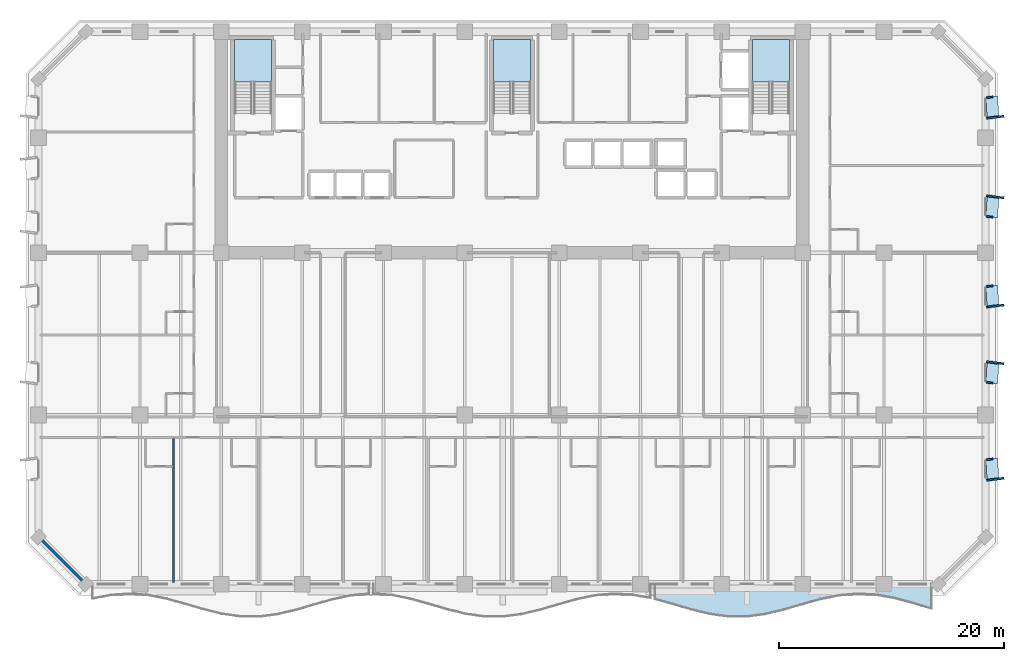
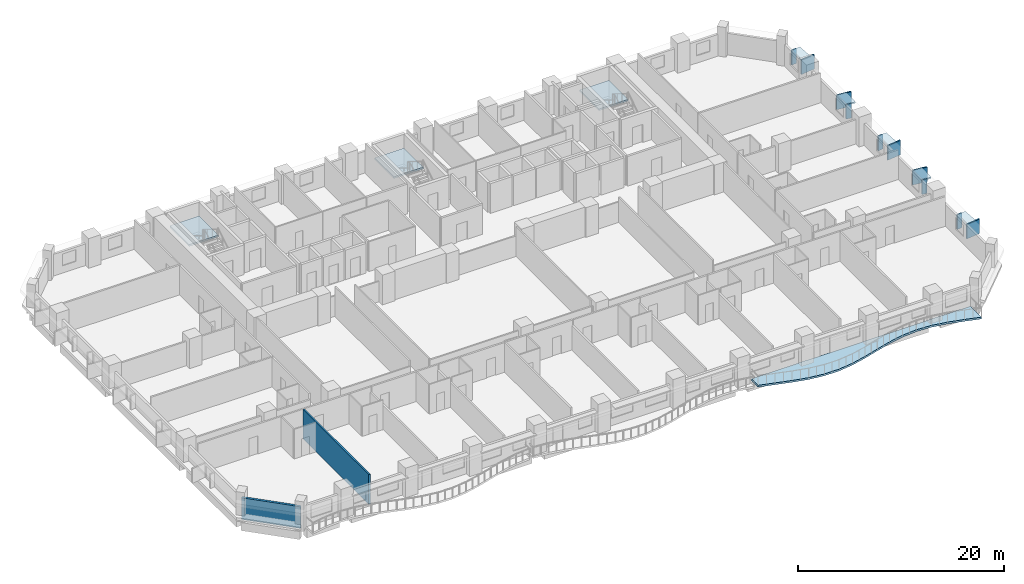
# One storey, part 3 of 15: 15 plates, 4 slabs, 2 walls, 3 elements without a shape of their own.
"""IFC4 building model written with IfcOpenShell, lengths in metres."""

from ifc_helpers import new_model, si_unit, direction, frame, frame_2d, origin, origin_2d, place, context, subcontext, project, spatial, polyline, rectangle, outline, extrude, material, layer, layer_set, type_object, element, aggregate, save


model = new_model("IFC4")

# Units and contexts
model_context = context("Model", 3, precision=1e-05, world=origin(), true_north=direction((0.0, 1.0)))
body_context = subcontext(model_context, "Body", "Model", "MODEL_VIEW")
ifc_project = project(units=[si_unit("LENGTHUNIT", "METRE"), si_unit("AREAUNIT", "SQUARE_METRE"), si_unit("VOLUMEUNIT", "CUBIC_METRE"), si_unit("PLANEANGLEUNIT", "RADIAN"), si_unit("MASSUNIT", "GRAM", prefix="KILO")], contexts=[model_context])

# Site, building, storey
site_placement = place(None, origin())
site = spatial("IfcSite", under=ifc_project, at=site_placement, CompositionType="ELEMENT")
building_placement = place(site_placement, origin())
building = spatial("IfcBuilding", under=site, at=building_placement, Name="Kaelvorn Grand Hotel", CompositionType="ELEMENT")
storey_placement = place(building_placement, frame((0.0, 0.0, 65.14990234375)))
storey = spatial("IfcBuildingStorey", under=building, at=storey_placement, Name="L14", CompositionType="ELEMENT", Elevation=65.14990234375)

# Plates
ifc_material_1 = material(Name="Precast concrete C45/55", Category="concrete")
ifc_layer_1 = layer(ifc_material_1, 0.159912109375)
ifc_layer_set_1 = layer_set([ifc_layer_1], Name="Precast concrete C45/55")
plate_type_1 = type_object("IfcPlateType", Name="PL-FRAME-DEEP-1550", PredefinedType="USERDEFINED", material=ifc_layer_set_1)
for number, where, z_axis, x_axis, name in (
    (1, (84.864990234375, 9.31005859375, 0.68994140625), (0.0, 0.0, 1.0), (-0.121869343405, 0.992546151641, 0.0), "L14 Tilted Precast Window Frame Fin L-E01"),
    (2, (84.864990234375, 19.64990234375, 0.68994140625), (0.0, 0.0, 1.0), (0.121869343405, 0.992546151641, 0.0), "L14 Tilted Precast Window Frame Fin R-E02"),
    (3, (84.864990234375, 24.669921875, 0.68994140625), (0.0, 0.0, 1.0), (-0.121869343405, 0.992546151641, 0.0), "L14 Tilted Precast Window Frame Fin L-E03"),
    (4, (84.864990234375, 34.364990234375, 0.68994140625), (0.0, 0.0, 1.0), (0.121869343405, 0.992546151641, 0.0), "L14 Tilted Precast Window Frame Fin R-E04"),
    (5, (84.864990234375, 41.425048828125, 0.68994140625), (0.0, 0.0, 1.0), (-0.121869343405, 0.992546151641, 0.0), "L14 Tilted Precast Window Frame Fin L-E05"),
):
    element("IfcPlate", number, at=place(storey_placement, frame(where, z_axis=z_axis, x_axis=x_axis)), inside=storey, type_object=plate_type_1, Name=name, ObjectType="FLANGE_PLATE", PredefinedType="USERDEFINED", context=body_context, shape_type="SweptSolid", body=[
        extrude(rectangle(XDim=0.159912109375, YDim=1.550048828125, at=origin_2d()), origin(), (0.0, 0.0, 1.0), 1.719970703125),
    ])
ifc_layer_2 = layer(ifc_material_1, 0.159912109375)
ifc_layer_set_2 = layer_set([ifc_layer_2], Name="Precast concrete C45/55")
plate_type_2 = type_object("IfcPlateType", Name="PL-FRAME-HEAD-1050", PredefinedType="USERDEFINED", material=ifc_layer_set_2)
for number, where, z_axis, x_axis, name in (
    (6, (84.614990234375, 10.199951171875, 2.25), (0.0, 0.0, 1.0), (-0.054950179912, 0.998489097451, 0.0), "L14 Precast Window Frame Head Hood H-E01"),
    (7, (84.614990234375, 18.760009765625, 2.25), (0.0, 0.0, 1.0), (0.054950179912, 0.998489097451, 0.0), "L14 Precast Window Frame Head Hood H-E02"),
    (8, (84.614990234375, 25.56005859375, 2.25), (0.0, 0.0, 1.0), (-0.054950179912, 0.998489097451, 0.0), "L14 Precast Window Frame Head Hood H-E03"),
    (9, (84.614990234375, 33.47509765625, 2.25), (0.0, 0.0, 1.0), (0.054950179912, 0.998489097451, 0.0), "L14 Precast Window Frame Head Hood H-E04"),
    (10, (84.614990234375, 42.31494140625, 2.25), (0.0, 0.0, 1.0), (-0.054950179912, 0.998489097451, 0.0), "L14 Precast Window Frame Head Hood H-E05"),
):
    element("IfcPlate", number, at=place(storey_placement, frame(where, z_axis=z_axis, x_axis=x_axis)), inside=storey, type_object=plate_type_2, Name=name, ObjectType="FLANGE_PLATE", PredefinedType="USERDEFINED", context=body_context, shape_type="SweptSolid", body=[
        extrude(rectangle(XDim=1.860107421875, YDim=1.050048828125, at=origin_2d()), origin(), (0.0, 0.0, 1.0), 0.159912109375),
    ])
ifc_layer_3 = layer(ifc_material_1, 0.159912109375)
ifc_layer_set_3 = layer_set([ifc_layer_3], Name="Precast concrete C45/55")
plate_type_3 = type_object("IfcPlateType", Name="PL-FRAME-SHAL-550", PredefinedType="USERDEFINED", material=ifc_layer_set_3)
for number, where, z_axis, x_axis, name in (
    (11, (84.364990234375, 11.090087890625, 0.68994140625), (0.0, 0.0, 1.0), (-0.121869343405, 0.992546151641, 0.0), "L14 Tilted Precast Window Frame Fin R-E01"),
    (12, (84.364990234375, 17.8701171875, 0.68994140625), (0.0, 0.0, 1.0), (0.121869343405, 0.992546151641, 0.0), "L14 Tilted Precast Window Frame Fin L-E02"),
    (13, (84.364990234375, 26.449951171875, 0.68994140625), (0.0, 0.0, 1.0), (-0.121869343405, 0.992546151641, 0.0), "L14 Tilted Precast Window Frame Fin R-E03"),
    (14, (84.364990234375, 32.5849609375, 0.68994140625), (0.0, 0.0, 1.0), (0.121869343405, 0.992546151641, 0.0), "L14 Tilted Precast Window Frame Fin L-E04"),
    (15, (84.364990234375, 43.205078125, 0.68994140625), (0.0, 0.0, 1.0), (-0.121869343405, 0.992546151641, 0.0), "L14 Tilted Precast Window Frame Fin R-E05"),
):
    element("IfcPlate", number, at=place(storey_placement, frame(where, z_axis=z_axis, x_axis=x_axis)), inside=storey, type_object=plate_type_3, Name=name, ObjectType="FLANGE_PLATE", PredefinedType="USERDEFINED", context=body_context, shape_type="SweptSolid", body=[
        extrude(rectangle(XDim=0.159912109375, YDim=0.550048828125, at=origin_2d()), origin(), (0.0, 0.0, 1.0), 1.719970703125),
    ])

# Slab
ifc_material_2 = material(Name="Concrete C40/50", Category="concrete")
ifc_layer_4 = layer(ifc_material_2, 0.219970703125)
ifc_layer_set_4 = layer_set([ifc_layer_4], Name="Concrete C40/50")
slab_type_1 = type_object("IfcSlabType", Name="SLB-BALC-220-C40", PredefinedType="FLOOR", material=ifc_layer_set_4)
slab_1_placement = place(storey_placement, frame((0.0, 0.0, -0.219970703125)))
element("IfcSlab", 16, at=slab_1_placement, inside=storey, type_object=slab_type_1, Name="L14 Scalloped Wave Balcony Slab 3", PredefinedType="FLOOR", context=body_context, shape_type="SweptSolid", body=[
    extrude(outline(polyline([(54.666748046875, -1.318359375), (56.30224609375, -1.7744140625), (57.937744140625, -2.2529296875), (59.5732421875, -2.647216796875), (61.208984375, -2.8701171875), (62.844482421875, -2.8720703125), (64.47998046875, -2.652587890625), (66.115478515625, -2.26025390625), (67.751220703125, -1.782470703125), (69.38671875, -1.3251953125), (71.022216796875, -0.989990234375), (72.65771484375, -0.851318359375), (74.293212890625, -0.940185546875), (75.928955078125, -1.236572265625), (77.564453125, -1.6748046875), (79.199951171875, -2.157470703125), (79.199951171875, 0.0), (54.666748046875, 0.0), (54.666748046875, -1.318359375)])), origin(), (0.0, 0.0, 1.0), 0.219970703125),
])

# Stair, slab
stair_type = type_object("IfcStairType", Name="STR-DOG-1560-R06", PredefinedType="HALF_TURN_STAIR", material=ifc_material_2)
stair_1_placement = place(storey_placement, origin())
stair_1 = element("IfcStair", 17, at=stair_1_placement, inside=storey, type_object=stair_type, Name="L14 West Core Exit Stair ST1", PredefinedType="HALF_TURN_STAIR")
ifc_layer_5 = layer(ifc_material_2, 0.199951171875)
ifc_layer_set_5 = layer_set([ifc_layer_5], Name="Concrete C40/50")
slab_type_2 = type_object("IfcSlabType", Name="SLB-LAND-200-C40", PredefinedType="LANDING", material=ifc_layer_set_5)
slab_2_placement = place(storey_placement, frame((0.0, 0.0, 1.675048828125)))
slab_2 = element("IfcSlab", 18, at=slab_2_placement, type_object=slab_type_2, Name="ST1 landing 1", PredefinedType="LANDING", context=body_context, shape_type="SweptSolid", body=[
    extrude(outline(polyline([(20.679931640625, 44.56005859375), (20.679931640625, 48.300048828125), (17.39990234375, 48.300048828125), (17.39990234375, 44.56005859375), (20.679931640625, 44.56005859375)])), origin(), (0.0, 0.0, 1.0), 0.199951171875),
])
aggregate(stair_1, [slab_2])

stair_2_placement = place(storey_placement, origin())
stair_2 = element("IfcStair", 19, at=stair_2_placement, inside=storey, type_object=stair_type, Name="L14 Central Core Exit Stair ST2", PredefinedType="HALF_TURN_STAIR")
slab_3_placement = place(storey_placement, frame((0.0, 0.0, 1.675048828125)))
slab_3 = element("IfcSlab", 20, at=slab_3_placement, type_object=slab_type_2, Name="ST2 landing 1", PredefinedType="LANDING", context=body_context, shape_type="SweptSolid", body=[
    extrude(outline(polyline([(43.639892578125, 44.56005859375), (43.639892578125, 48.300048828125), (40.360107421875, 48.300048828125), (40.360107421875, 44.56005859375), (43.639892578125, 44.56005859375)])), origin(), (0.0, 0.0, 1.0), 0.199951171875),
])
aggregate(stair_2, [slab_3])

stair_3_placement = place(storey_placement, origin())
stair_3 = element("IfcStair", 21, at=stair_3_placement, inside=storey, type_object=stair_type, Name="L14 East Core Exit Stair ST3", PredefinedType="HALF_TURN_STAIR")
slab_4_placement = place(storey_placement, frame((0.0, 0.0, 1.675048828125)))
slab_4 = element("IfcSlab", 22, at=slab_4_placement, type_object=slab_type_2, Name="ST3 landing 1", PredefinedType="LANDING", context=body_context, shape_type="SweptSolid", body=[
    extrude(outline(polyline([(66.60009765625, 44.56005859375), (66.60009765625, 48.300048828125), (63.320068359375, 48.300048828125), (63.320068359375, 44.56005859375), (66.60009765625, 44.56005859375)])), origin(), (0.0, 0.0, 1.0), 0.199951171875),
])
aggregate(stair_3, [slab_4])

# Walls
ifc_layer_6 = layer(ifc_material_2, 0.260009765625)
ifc_layer_set_6 = layer_set([ifc_layer_6], Name="Concrete C40/50")
wall_type_1 = type_object("IfcWallType", Name="WL-EXT-260-C40", PredefinedType="SOLIDWALL", material=ifc_layer_set_6)
wall_1_placement = place(storey_placement, frame((0.0, 4.199951171875, 0.0), z_axis=(0.0, 0.0, 1.0), x_axis=(0.707106781187, -0.707106781187, 0.0)))
element("IfcWall", 23, at=wall_1_placement, inside=storey, type_object=wall_type_1, Name="L14 Exterior Architectural Concrete Wall 08", PredefinedType="SOLIDWALL", context=body_context, shape_type="SweptSolid", body=[
    extrude(rectangle(XDim=5.939697265625, YDim=0.260009765625, at=frame_2d((2.9697265625, 0.0))), origin(), (0.0, 0.0, 1.0), 2.56005859375),
])
ifc_material_3 = material(Name="Acoustic Gypsum & Stud Partition")
ifc_layer_7 = layer(ifc_material_3, 0.179931640625)
ifc_layer_set_7 = layer_set([ifc_layer_7], Name="Acoustic Gypsum & Stud Partition")
wall_type_2 = type_object("IfcWallType", Name="WL-PART-180-EI60", PredefinedType="PARTITIONING", material=ifc_layer_set_7)
wall_2_placement = place(storey_placement, frame((11.97998046875, 0.14990234375, 0.0), z_axis=(0.0, 0.0, 1.0), x_axis=(0.0, 1.0, 0.0)))
element("IfcWall", 24, at=wall_2_placement, inside=storey, type_object=wall_type_2, Name="L14 Deluxe Panoramic Suite L14-01 E Partition", PredefinedType="PARTITIONING", context=body_context, shape_type="SweptSolid", body=[
    extrude(rectangle(XDim=12.755126953125, YDim=0.179931640625, at=frame_2d((6.37744140625, 0.0))), origin(), (0.0, 0.0, 1.0), 3.510009765625),
])

save(model, "model.ifc")
